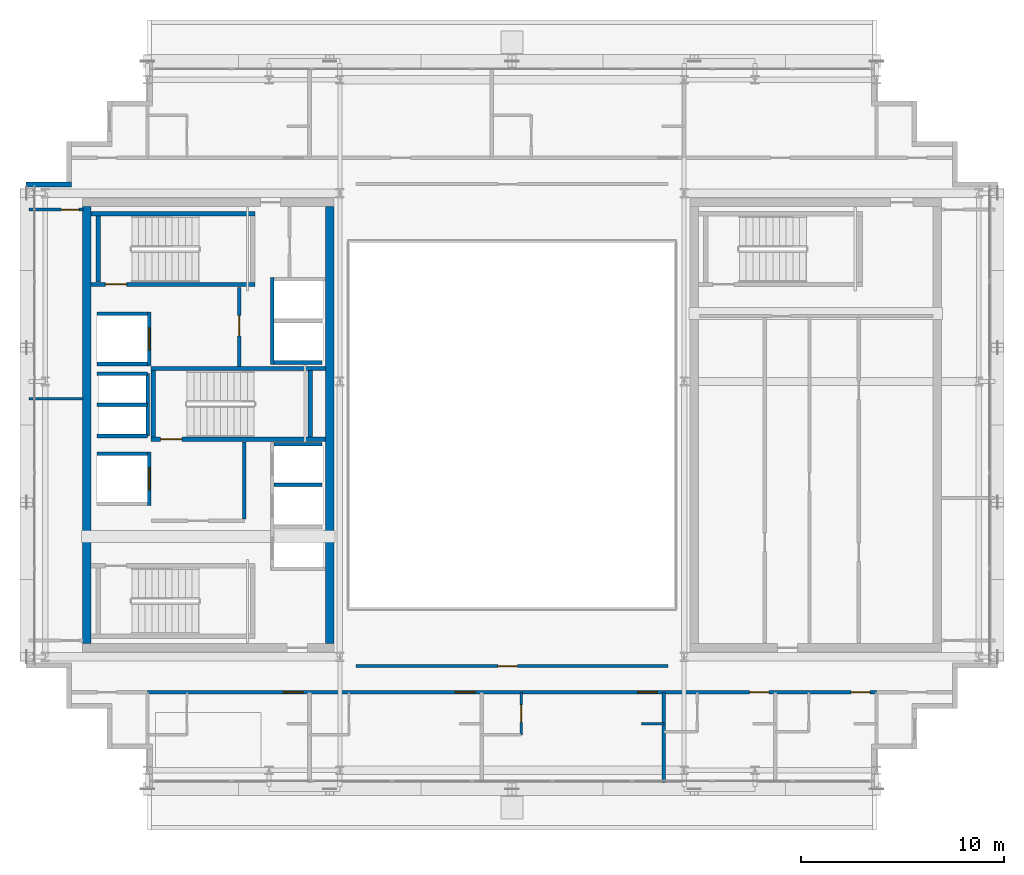
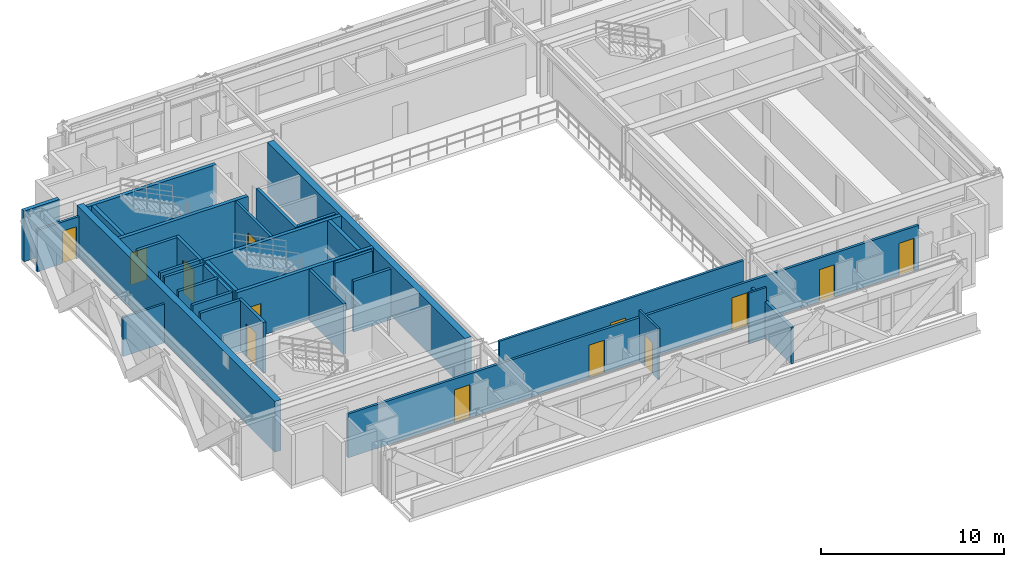
# One storey, part 20 of 27: 32 walls, 13 doors, 13 openings.
"""IFC4 building model written with IfcOpenShell, lengths in metres."""

from ifc_helpers import new_model, si_unit, direction, frame, frame_2d, origin, place, context, subcontext, project, spatial, rectangle, extrude, source, transform, mapped, material, layer, layer_set, type_object, element, fill, save


model = new_model("IFC4")

# Units and contexts
model_context = context("Model", 3, precision=1e-05, world=origin(), true_north=direction((0.0, 1.0)))
body_context = subcontext(model_context, "Body", "Model", "MODEL_VIEW")
ifc_project = project(units=[si_unit("LENGTHUNIT", "METRE"), si_unit("AREAUNIT", "SQUARE_METRE"), si_unit("VOLUMEUNIT", "CUBIC_METRE"), si_unit("PLANEANGLEUNIT", "RADIAN"), si_unit("MASSUNIT", "GRAM", prefix="KILO")], contexts=[model_context])

# Site, building, storey
site_placement = place(None, origin())
site = spatial("IfcSite", under=ifc_project, at=site_placement, CompositionType="ELEMENT")
building_placement = place(site_placement, origin())
building = spatial("IfcBuilding", under=site, at=building_placement, Name="Ocotamira Hotel", CompositionType="ELEMENT")
storey_placement = place(building_placement, frame((0.0, 0.0, 232.800048828125)))
storey = spatial("IfcBuildingStorey", under=building, at=storey_placement, Name="L58", CompositionType="ELEMENT", Elevation=232.800048828125)

# Walls
ifc_material_1 = material(Name="Concrete C50/60", Category="concrete")
ifc_layer_1 = layer(ifc_material_1, 0.39990234375)
ifc_layer_set_1 = layer_set([ifc_layer_1], Name="Concrete C50/60")
wall_type_1 = type_object("IfcWallType", Name="WL-CORE-400", PredefinedType="SHEAR", material=ifc_layer_set_1)
for number, where, z_axis, x_axis, name in (
    (1, (11.0, 15.199951171875, 0.0), (0.0, 0.0, 1.0), (0.0, 1.0, 0.0), "L58 Shear Core Wall WCORE-W"),
    (2, (23.0, 15.199951171875, 0.0), (0.0, 0.0, 1.0), (0.0, 1.0, 0.0), "L58 Shear Core Wall WCORE-E"),
):
    element("IfcWall", number, at=place(storey_placement, frame(where, z_axis=z_axis, x_axis=x_axis)), inside=storey, type_object=wall_type_1, Name=name, PredefinedType="SHEAR", context=body_context, shape_type="SweptSolid", body=[
        extrude(rectangle(XDim=21.60009765625, YDim=0.39990234375, at=frame_2d((10.800048828125, 0.0))), origin(), (0.0, 0.0, 1.0), 3.3798828125),
    ])
ifc_material_2 = material(Name="Precast concrete C45/55", Category="concrete")
ifc_layer_2 = layer(ifc_material_2, 0.25)
ifc_layer_set_2 = layer_set([ifc_layer_2], Name="Precast concrete C45/55")
wall_type_2 = type_object("IfcWallType", Name="WL-EXT-SER-250", PredefinedType="SOLIDWALL", material=ifc_layer_set_2)
wall_1_placement = place(storey_placement, frame((10.25, 37.875, 0.0), z_axis=(0.0, 0.0, 1.0), x_axis=(-1.0, 0.0, 0.0)))
element("IfcWall", 3, at=wall_1_placement, inside=storey, type_object=wall_type_2, Name="L58 Serrated Corner Wall 18", PredefinedType="SOLIDWALL", context=body_context, shape_type="SweptSolid", body=[
    extrude(rectangle(XDim=2.25, YDim=0.25, at=frame_2d((1.125, 0.0))), origin(), (0.0, 0.0, 1.0), 3.3798828125),
])
ifc_material_3 = material(Name="Acoustic double-layer fire gypsum board partition", Category="gypsum")
ifc_layer_3 = layer(ifc_material_3, 0.159912109375)
ifc_layer_set_3 = layer_set([ifc_layer_3], Name="Acoustic double-layer fire gypsum board partition")
wall_type_3 = type_object("IfcWallType", Name="WL-FIRE-160", PredefinedType="PARTITIONING", material=ifc_layer_set_3)
wall_2_placement = place(storey_placement, frame((18.780029296875, 21.35009765625, 0.0), z_axis=(0.0, 0.0, 1.0), x_axis=(0.0, 1.0, 0.0)))
element("IfcWall", 4, at=wall_2_placement, inside=storey, type_object=wall_type_3, Name="L58 Interior Wall PW-L58-FSAE1-E", PredefinedType="PARTITIONING", context=body_context, shape_type="SweptSolid", body=[
    extrude(rectangle(XDim=3.809814453125, YDim=0.159912109375, at=frame_2d((1.90478515625, 0.0))), origin(), (0.0, 0.0, 1.0), 3.3798828125),
])

# Wall, opening, door
wall_3_placement = place(storey_placement, frame((18.530029296875, 28.89990234375, 0.0), z_axis=(0.0, 0.0, 1.0), x_axis=(0.0, 1.0, 0.0)))
wall_3 = element("IfcWall", 5, at=wall_3_placement, inside=storey, type_object=wall_type_3, Name="L58 Interior Wall PW-L58-FSAE2-E", PredefinedType="PARTITIONING", context=body_context, shape_type="SweptSolid", body=[
    extrude(rectangle(XDim=3.900146484375, YDim=0.159912109375, at=frame_2d((1.9501953125, 0.0))), origin(), (0.0, 0.0, 1.0), 3.3798828125),
])
opening_1_placement = place(wall_3_placement, frame((1.5, 0.0, 0.0)))
opening_1 = element("IfcOpeningElement", 6, at=opening_1_placement, cuts=wall_3, Name="Opening D-FR2", PredefinedType="OPENING", context=body_context, shape_type="SweptSolid", body=[
    extrude(rectangle(XDim=1.0, YDim=2.14990234375, at=frame_2d((0.5, 1.074951171875))), frame((0.0, 0.08984375, 0.0), z_axis=(0.0, -1.0, 0.0), x_axis=(1.0, 0.0, 0.0)), (0.0, 0.0, 1.0), 0.179931640625),
])
ifc_material_4 = material(Name="Fire-rated acoustic timber-veneer door", Category="wood")
door_type_1 = type_object("IfcDoorType", Name="DR-FIRE-1000", OperationType="NOTDEFINED", PredefinedType="DOOR", material=ifc_material_4)
shared_shape_1 = source(origin(), body_context, "Body", "SweptSolid", [
    extrude(rectangle(XDim=1.0, YDim=2.14990234375, at=frame_2d((0.5, 1.074951171875))), frame((0.0, 0.02490234375, 0.0), z_axis=(0.0, -1.0, 0.0), x_axis=(1.0, 0.0, 0.0)), (0.0, 0.0, 1.0), 0.050048828125),
])
door_1_placement = place(opening_1_placement, origin())
door_1 = element("IfcDoor", 7, at=door_1_placement, inside=storey, type_object=door_type_1, Name="L58 Door ID-L58-FSAE2-D [ID-L58-FSAE2-D]", OperationType="SINGLE_SWING_RIGHT", OverallHeight=2.14990234375, OverallWidth=1.0, PredefinedType="DOOR", context=body_context, shape_type="MappedRepresentation", body=[
    mapped(shared_shape_1, transform((0.0, 0.0, 0.0), scale=1.0)),
])
fill(opening_1, door_1)

# Wall, openings, doors
wall_4_placement = place(storey_placement, frame((14.0, 12.800048828125, 0.0), z_axis=(0.0, 0.0, 1.0), x_axis=(1.0, 0.0, 0.0)))
wall_4 = element("IfcWall", 8, at=wall_4_placement, inside=storey, type_object=wall_type_3, Name="L58 Interior Wall PW-L58-Z4AS-CORRW", PredefinedType="PARTITIONING", context=body_context, shape_type="SweptSolid", body=[
    extrude(rectangle(XDim=36.0, YDim=0.159912109375, at=frame_2d((18.0, 0.0))), origin(), (0.0, 0.0, 1.0), 2.9228515625),
])
opening_2_placement = place(wall_4_placement, frame((6.699951171875, 0.0, 0.0)))
opening_2 = element("IfcOpeningElement", 9, at=opening_2_placement, cuts=wall_4, Name="Opening D-GR2", PredefinedType="OPENING", context=body_context, shape_type="SweptSolid", body=[
    extrude(rectangle(XDim=0.97998046875, YDim=2.199951171875, at=frame_2d((0.489990234375, 1.10009765625))), frame((0.0, 0.08984375, 0.0), z_axis=(0.0, -1.0, 0.0), x_axis=(1.0, 0.0, 0.0)), (0.0, 0.0, 1.0), 0.179931640625),
])
opening_3_placement = place(wall_4_placement, frame((15.199951171875, 0.0, 0.0)))
opening_3 = element("IfcOpeningElement", 10, at=opening_3_placement, cuts=wall_4, Name="Opening D-GR2", PredefinedType="OPENING", context=body_context, shape_type="SweptSolid", body=[
    extrude(rectangle(XDim=0.97998046875, YDim=2.199951171875, at=frame_2d((0.489990234375, 1.10009765625))), frame((0.0, 0.08984375, 0.0), z_axis=(0.0, -1.0, 0.0), x_axis=(1.0, 0.0, 0.0)), (0.0, 0.0, 1.0), 0.179931640625),
])
opening_4_placement = place(wall_4_placement, frame((24.199951171875, 0.0, 0.0)))
opening_4 = element("IfcOpeningElement", 11, at=opening_4_placement, cuts=wall_4, Name="Opening D-GR2", PredefinedType="OPENING", context=body_context, shape_type="SweptSolid", body=[
    extrude(rectangle(XDim=0.97998046875, YDim=2.199951171875, at=frame_2d((0.489990234375, 1.10009765625))), frame((0.0, 0.08984375, 0.0), z_axis=(0.0, -1.0, 0.0), x_axis=(1.0, 0.0, 0.0)), (0.0, 0.0, 1.0), 0.179931640625),
])
opening_5_placement = place(wall_4_placement, frame((29.739990234375, 0.0, 0.0)))
opening_5 = element("IfcOpeningElement", 12, at=opening_5_placement, cuts=wall_4, Name="Opening D-GR1", PredefinedType="OPENING", context=body_context, shape_type="SweptSolid", body=[
    extrude(rectangle(XDim=0.93994140625, YDim=2.14990234375, at=frame_2d((0.469970703125, 1.074951171875))), frame((0.0, 0.08984375, 0.0), z_axis=(0.0, -1.0, 0.0), x_axis=(1.0, 0.0, 0.0)), (0.0, 0.0, 1.0), 0.179931640625),
])
opening_6_placement = place(wall_4_placement, frame((34.739990234375, 0.0, 0.0)))
opening_6 = element("IfcOpeningElement", 13, at=opening_6_placement, cuts=wall_4, Name="Opening D-GR1", PredefinedType="OPENING", context=body_context, shape_type="SweptSolid", body=[
    extrude(rectangle(XDim=0.93994140625, YDim=2.14990234375, at=frame_2d((0.469970703125, 1.074951171875))), frame((0.0, 0.08984375, 0.0), z_axis=(0.0, -1.0, 0.0), x_axis=(1.0, 0.0, 0.0)), (0.0, 0.0, 1.0), 0.179931640625),
])
ifc_material_5 = material(Name="Solid-core walnut suite entrance fire door", Category="wood")
door_type_2 = type_object("IfcDoorType", Name="DR-GUEST-940", OperationType="NOTDEFINED", PredefinedType="DOOR", material=ifc_material_5)
shared_shape_2 = source(origin(), body_context, "Body", "SweptSolid", [
    extrude(rectangle(XDim=0.93994140625, YDim=2.14990234375, at=frame_2d((0.469970703125, 1.074951171875))), frame((0.0, 0.02490234375, 0.0), z_axis=(0.0, -1.0, 0.0), x_axis=(1.0, 0.0, 0.0)), (0.0, 0.0, 1.0), 0.050048828125),
])
door_2_placement = place(opening_5_placement, origin())
door_2 = element("IfcDoor", 14, at=door_2_placement, inside=storey, type_object=door_type_2, Name="L58 Door ID-L58-Z4AS-RMD4 [ID-L58-Z4AS-RMD4]", OperationType="SINGLE_SWING_RIGHT", OverallHeight=2.14990234375, OverallWidth=0.93994140625, PredefinedType="DOOR", context=body_context, shape_type="MappedRepresentation", body=[
    mapped(shared_shape_2, transform((0.0, 0.0, 0.0), scale=1.0)),
])
fill(opening_5, door_2)
door_3_placement = place(opening_6_placement, origin())
door_3 = element("IfcDoor", 15, at=door_3_placement, inside=storey, type_object=door_type_2, Name="L58 Door ID-L58-Z4AS-RMD5 [ID-L58-Z4AS-RMD5]", OperationType="SINGLE_SWING_LEFT", OverallHeight=2.14990234375, OverallWidth=0.93994140625, PredefinedType="DOOR", context=body_context, shape_type="MappedRepresentation", body=[
    mapped(shared_shape_2, transform((0.0, 0.0, 0.0), scale=1.0)),
])
fill(opening_6, door_3)
ifc_material_6 = material(Name="Solid-core walnut grand-suite entrance fire door", Category="wood")
door_type_3 = type_object("IfcDoorType", Name="DR-GUEST-980", OperationType="NOTDEFINED", PredefinedType="DOOR", material=ifc_material_6)
shared_shape_3 = source(origin(), body_context, "Body", "SweptSolid", [
    extrude(rectangle(XDim=0.97998046875, YDim=2.199951171875, at=frame_2d((0.489990234375, 1.10009765625))), frame((0.0, 0.02490234375, 0.0), z_axis=(0.0, -1.0, 0.0), x_axis=(1.0, 0.0, 0.0)), (0.0, 0.0, 1.0), 0.050048828125),
])
door_4_placement = place(opening_2_placement, origin())
door_4 = element("IfcDoor", 16, at=door_4_placement, inside=storey, type_object=door_type_3, Name="L58 Door ID-L58-Z4AS-RMD1 [ID-L58-Z4AS-RMD1]", OperationType="SINGLE_SWING_LEFT", OverallHeight=2.199951171875, OverallWidth=0.97998046875, PredefinedType="DOOR", context=body_context, shape_type="MappedRepresentation", body=[
    mapped(shared_shape_3, transform((0.0, 0.0, 0.0), scale=1.0)),
])
fill(opening_2, door_4)
door_5_placement = place(opening_3_placement, origin())
door_5 = element("IfcDoor", 17, at=door_5_placement, inside=storey, type_object=door_type_3, Name="L58 Door ID-L58-Z4AS-RMD2 [ID-L58-Z4AS-RMD2]", OperationType="SINGLE_SWING_RIGHT", OverallHeight=2.199951171875, OverallWidth=0.97998046875, PredefinedType="DOOR", context=body_context, shape_type="MappedRepresentation", body=[
    mapped(shared_shape_3, transform((0.0, 0.0, 0.0), scale=1.0)),
])
fill(opening_3, door_5)
door_6_placement = place(opening_4_placement, origin())
door_6 = element("IfcDoor", 18, at=door_6_placement, inside=storey, type_object=door_type_3, Name="L58 Door ID-L58-Z4AS-RMD3 [ID-L58-Z4AS-RMD3]", OperationType="SINGLE_SWING_LEFT", OverallHeight=2.199951171875, OverallWidth=0.97998046875, PredefinedType="DOOR", context=body_context, shape_type="MappedRepresentation", body=[
    mapped(shared_shape_3, transform((0.0, 0.0, 0.0), scale=1.0)),
])
fill(opening_4, door_6)

# Wall, opening, door
ifc_material_7 = material(Name="Moisture-resistant en-suite tile and gypsum partition", Category="gypsum")
ifc_layer_4 = layer(ifc_material_7, 0.1201171875)
ifc_layer_set_4 = layer_set([ifc_layer_4], Name="Moisture-resistant en-suite tile and gypsum partition")
wall_type_4 = type_object("IfcWallType", Name="WL-PART-120", PredefinedType="PARTITIONING", material=ifc_layer_set_4)
wall_5_placement = place(storey_placement, frame((32.449951171875, 10.699951171875, 0.0), z_axis=(0.0, 0.0, 1.0), x_axis=(0.0, 1.0, 0.0)))
wall_5 = element("IfcWall", 19, at=wall_5_placement, inside=storey, type_object=wall_type_4, Name="L58 Interior Wall PW-L58-Z4AS-BAE3", PredefinedType="PARTITIONING", context=body_context, shape_type="SweptSolid", body=[
    extrude(rectangle(XDim=2.10009765625, YDim=0.1201171875, at=frame_2d((1.050048828125, 0.0))), origin(), (0.0, 0.0, 1.0), 3.3798828125),
])
opening_7_placement = place(wall_5_placement, frame((0.6201171875, 0.0, 0.0)))
opening_7 = element("IfcOpeningElement", 20, at=opening_7_placement, cuts=wall_5, Name="Opening D-BA1", PredefinedType="OPENING", context=body_context, shape_type="SweptSolid", body=[
    extrude(rectangle(XDim=0.860107421875, YDim=2.10009765625, at=frame_2d((0.43017578125, 1.050048828125))), frame((0.0, 0.070068359375, 0.0), z_axis=(0.0, -1.0, 0.0), x_axis=(1.0, 0.0, 0.0)), (0.0, 0.0, 1.0), 0.14013671875),
])
ifc_material_8 = material(Name="Moisture-sealed en-suite timber door", Category="wood")
door_type_4 = type_object("IfcDoorType", Name="DR-BATH-860", OperationType="NOTDEFINED", PredefinedType="DOOR", material=ifc_material_8)
shared_shape_4 = source(origin(), body_context, "Body", "SweptSolid", [
    extrude(rectangle(XDim=0.860107421875, YDim=2.10009765625, at=frame_2d((0.43017578125, 1.050048828125))), frame((0.0, 0.02490234375, 0.0), z_axis=(0.0, -1.0, 0.0), x_axis=(1.0, 0.0, 0.0)), (0.0, 0.0, 1.0), 0.050048828125),
])
door_7_placement = place(opening_7_placement, origin())
door_7 = element("IfcDoor", 21, at=door_7_placement, inside=storey, type_object=door_type_4, Name="L58 Door ID-L58-Z4AS-BAD3 [ID-L58-Z4AS-BAD3]", OperationType="SINGLE_SWING_RIGHT", OverallHeight=2.10009765625, OverallWidth=0.860107421875, PredefinedType="DOOR", context=body_context, shape_type="MappedRepresentation", body=[
    mapped(shared_shape_4, transform((0.0, 0.0, 0.0), scale=1.0)),
])
fill(opening_7, door_7)

# Walls
wall_6_placement = place(storey_placement, frame((38.39990234375, 11.25, 0.0), z_axis=(0.0, 0.0, 1.0), x_axis=(1.0, 0.0, 0.0)))
element("IfcWall", 22, at=wall_6_placement, inside=storey, type_object=wall_type_4, Name="L58 Interior Wall PW-L58-Z4AS-DRN3", PredefinedType="PARTITIONING", context=body_context, shape_type="SweptSolid", body=[
    extrude(rectangle(XDim=1.10009765625, YDim=0.1201171875, at=frame_2d((0.550048828125, 0.0))), origin(), (0.0, 0.0, 1.0), 3.3798828125),
])
ifc_material_9 = material(Name="Acoustic hospitality gypsum board partition", Category="gypsum")
ifc_layer_5 = layer(ifc_material_9, 0.14208984375)
ifc_layer_set_5 = layer_set([ifc_layer_5], Name="Acoustic hospitality gypsum board partition")
wall_type_5 = type_object("IfcWallType", Name="WL-PART-142", PredefinedType="PARTITIONING", material=ifc_layer_set_5)
wall_7_placement = place(storey_placement, frame((8.159912109375, 27.300048828125, 0.0), z_axis=(0.0, 0.0, 1.0), x_axis=(1.0, 0.0, 0.0)))
element("IfcWall", 23, at=wall_7_placement, inside=storey, type_object=wall_type_5, Name="L58 Interior Wall PW-L58-Z4AW-DV1", PredefinedType="PARTITIONING", context=body_context, shape_type="SweptSolid", body=[
    extrude(rectangle(XDim=2.66015625, YDim=0.14208984375, at=frame_2d((1.330078125, 0.0))), origin(), (0.0, 0.0, 1.0), 2.600830078125),
])

# Wall, opening, door
ifc_layer_6 = layer(ifc_material_9, 0.14990234375)
ifc_layer_set_6 = layer_set([ifc_layer_6], Name="Acoustic hospitality gypsum board partition")
wall_type_6 = type_object("IfcWallType", Name="WL-PART-150", PredefinedType="PARTITIONING", material=ifc_layer_set_6)
wall_8_placement = place(storey_placement, frame((24.300048828125, 14.10009765625, 0.0), z_axis=(0.0, 0.0, 1.0), x_axis=(1.0, 0.0, 0.0)))
wall_8 = element("IfcWall", 24, at=wall_8_placement, inside=storey, type_object=wall_type_6, Name="L58 Interior Wall PW-L58-Z4A-ATRSN", PredefinedType="PARTITIONING", context=body_context, shape_type="SweptSolid", body=[
    extrude(rectangle(XDim=15.39990234375, YDim=0.14990234375, at=frame_2d((7.699951171875, 0.0))), origin(), (0.0, 0.0, 1.0), 3.3798828125),
])
opening_8_placement = place(wall_8_placement, frame((7.0, 0.0, 0.0)))
opening_8 = element("IfcOpeningElement", 25, at=opening_8_placement, cuts=wall_8, Name="Opening D-SV4", PredefinedType="OPENING", context=body_context, shape_type="SweptSolid", body=[
    extrude(rectangle(XDim=0.9599609375, YDim=2.14990234375, at=frame_2d((0.47998046875, 1.074951171875))), frame((0.0, 0.0849609375, 0.0), z_axis=(0.0, -1.0, 0.0), x_axis=(1.0, 0.0, 0.0)), (0.0, 0.0, 1.0), 0.169921875),
])
ifc_material_10 = material(Name="Fire-rated accessible walnut salon door", Category="wood")
door_type_5 = type_object("IfcDoorType", Name="DR-SERV-960", OperationType="NOTDEFINED", PredefinedType="DOOR", material=ifc_material_10)
shared_shape_5 = source(origin(), body_context, "Body", "SweptSolid", [
    extrude(rectangle(XDim=0.9599609375, YDim=2.14990234375, at=frame_2d((0.47998046875, 1.074951171875))), frame((0.0, 0.02490234375, 0.0), z_axis=(0.0, -1.0, 0.0), x_axis=(1.0, 0.0, 0.0)), (0.0, 0.0, 1.0), 0.050048828125),
])
door_8_placement = place(opening_8_placement, origin())
door_8 = element("IfcDoor", 26, at=door_8_placement, inside=storey, type_object=door_type_5, Name="L58 Door ID-L58-Z4A-ATRSD [ID-L58-Z4A-ATRSD]", OperationType="SINGLE_SWING_LEFT", OverallHeight=2.14990234375, OverallWidth=0.9599609375, PredefinedType="DOOR", context=body_context, shape_type="MappedRepresentation", body=[
    mapped(shared_shape_5, transform((0.0, 0.0, 0.0), scale=1.0)),
])
fill(opening_8, door_8)

wall_9_placement = place(storey_placement, frame((8.159912109375, 36.639892578125, 0.0), z_axis=(0.0, 0.0, 1.0), x_axis=(1.0, 0.0, 0.0)))
wall_9 = element("IfcWall", 27, at=wall_9_placement, inside=storey, type_object=wall_type_6, Name="L58 Interior Wall PW-L58-Z4AW-WN", PredefinedType="PARTITIONING", context=body_context, shape_type="SweptSolid", body=[
    extrude(rectangle(XDim=2.66015625, YDim=0.14990234375, at=frame_2d((1.330078125, 0.0))), origin(), (0.0, 0.0, 1.0), 2.762939453125),
])
opening_9_placement = place(wall_9_placement, frame((1.580078125, 0.0, 0.0)))
opening_9 = element("IfcOpeningElement", 28, at=opening_9_placement, cuts=wall_9, Name="Opening D-SV2", PredefinedType="OPENING", context=body_context, shape_type="SweptSolid", body=[
    extrude(rectangle(XDim=0.8798828125, YDim=2.14990234375, at=frame_2d((0.43994140625, 1.074951171875))), frame((0.0, 0.0849609375, 0.0), z_axis=(0.0, -1.0, 0.0), x_axis=(1.0, 0.0, 0.0)), (0.0, 0.0, 1.0), 0.169921875),
])
ifc_material_11 = material(Name="Fire-rated painted steel service door", Category="steel")
door_type_6 = type_object("IfcDoorType", Name="DR-SERV-880", OperationType="NOTDEFINED", PredefinedType="DOOR", material=ifc_material_11)
shared_shape_6 = source(origin(), body_context, "Body", "SweptSolid", [
    extrude(rectangle(XDim=0.8798828125, YDim=2.14990234375, at=frame_2d((0.43994140625, 1.074951171875))), frame((0.0, 0.02490234375, 0.0), z_axis=(0.0, -1.0, 0.0), x_axis=(1.0, 0.0, 0.0)), (0.0, 0.0, 1.0), 0.050048828125),
])
door_9_placement = place(opening_9_placement, origin())
door_9 = element("IfcDoor", 29, at=door_9_placement, inside=storey, type_object=door_type_6, Name="L58 Door ID-L58-Z4AW-DN [ID-L58-Z4AW-DN]", OperationType="SINGLE_SWING_RIGHT", OverallHeight=2.14990234375, OverallWidth=0.8798828125, PredefinedType="DOOR", context=body_context, shape_type="MappedRepresentation", body=[
    mapped(shared_shape_6, transform((0.0, 0.0, 0.0), scale=1.0)),
])
fill(opening_9, door_9)

# Walls
ifc_material_12 = material(Name="Double-stud suite party gypsum partition", Category="gypsum")
ifc_layer_7 = layer(ifc_material_12, 0.175048828125)
ifc_layer_set_7 = layer_set([ifc_layer_7], Name="Double-stud suite party gypsum partition")
wall_type_7 = type_object("IfcWallType", Name="WL-PART-175", PredefinedType="PARTITIONING", material=ifc_layer_set_7)
wall_10_placement = place(storey_placement, frame((39.5, 8.360107421875, 0.0), z_axis=(0.0, 0.0, 1.0), x_axis=(0.0, 1.0, 0.0)))
element("IfcWall", 30, at=wall_10_placement, inside=storey, type_object=wall_type_7, Name="L58 Interior Wall PW-L58-Z4AS-PW3", PredefinedType="PARTITIONING", context=body_context, shape_type="SweptSolid", body=[
    extrude(rectangle(XDim=4.43994140625, YDim=0.175048828125, at=frame_2d((2.219970703125, 0.0))), origin(), (0.0, 0.0, 1.0), 2.452880859375),
])
ifc_material_13 = material(Name="Fire-rated gypsum shaftliner board assembly", Category="gypsum")
ifc_layer_8 = layer(ifc_material_13, 0.179931640625)
ifc_layer_set_8 = layer_set([ifc_layer_8], Name="Fire-rated gypsum shaftliner board assembly")
wall_type_8 = type_object("IfcWallType", Name="WL-SHAFT-180", PredefinedType="SOLIDWALL", material=ifc_layer_set_8)
for number, where, z_axis, x_axis, name in (
    (31, (20.25, 25.050048828125, 0.0), (0.0, 0.0, 1.0), (1.0, 0.0, 0.0), "L58 Interior Wall PW-L58-LFW-BANK-high-N"),
    (32, (20.25, 23.044921875, 0.0), (0.0, 0.0, 1.0), (1.0, 0.0, 0.0), "L58 Interior Wall PW-L58-LFW-DIV-LF-P8"),
):
    element("IfcWall", number, at=place(storey_placement, frame(where, z_axis=z_axis, x_axis=x_axis)), inside=storey, type_object=wall_type_8, Name=name, PredefinedType="SOLIDWALL", context=body_context, shape_type="SweptSolid", body=[
        extrude(rectangle(XDim=2.360107421875, YDim=0.179931640625, at=frame_2d((1.18017578125, 0.0))), origin(), (0.0, 0.0, 1.0), 3.3798828125),
    ])
wall_11_placement = place(storey_placement, frame((20.159912109375, 29.0, 0.0), z_axis=(0.0, 0.0, 1.0), x_axis=(0.0, 1.0, 0.0)))
element("IfcWall", 33, at=wall_11_placement, inside=storey, type_object=wall_type_8, Name="L58 Interior Wall PW-L58-LFW-BANK-obs-F", PredefinedType="SOLIDWALL", context=body_context, shape_type="SweptSolid", body=[
    extrude(rectangle(XDim=4.2900390625, YDim=0.179931640625, at=frame_2d((2.14501953125, 0.0))), origin(), (0.0, 0.0, 1.0), 3.3798828125),
])
wall_12_placement = place(storey_placement, frame((20.25, 29.090087890625, 0.0), z_axis=(0.0, 0.0, 1.0), x_axis=(1.0, 0.0, 0.0)))
element("IfcWall", 34, at=wall_12_placement, inside=storey, type_object=wall_type_8, Name="L58 Interior Wall PW-L58-LFW-BANK-obs-S", PredefinedType="SOLIDWALL", context=body_context, shape_type="SweptSolid", body=[
    extrude(rectangle(XDim=2.360107421875, YDim=0.179931640625, at=frame_2d((1.18017578125, 0.0))), origin(), (0.0, 0.0, 1.0), 3.3798828125),
])
wall_13_placement = place(storey_placement, frame((11.5, 24.590087890625, 0.0), z_axis=(0.0, 0.0, 1.0), x_axis=(1.0, 0.0, 0.0)))
element("IfcWall", 35, at=wall_13_placement, inside=storey, type_object=wall_type_8, Name="L58 Interior Wall PW-L58-LFW-LF-FSAE1-N", PredefinedType="SOLIDWALL", context=body_context, shape_type="SweptSolid", body=[
    extrude(rectangle(XDim=2.5, YDim=0.179931640625, at=frame_2d((1.25, 0.0))), origin(), (0.0, 0.0, 1.0), 3.3798828125),
])

# Wall, opening, door
wall_14_placement = place(storey_placement, frame((14.090087890625, 22.02001953125, 0.0), z_axis=(0.0, 0.0, 1.0), x_axis=(0.0, 1.0, 0.0)))
wall_14 = element("IfcWall", 36, at=wall_14_placement, inside=storey, type_object=wall_type_8, Name="L58 Interior Wall PW-L58-LFW-LF-FSAE1-E", PredefinedType="SOLIDWALL", context=body_context, shape_type="SweptSolid", body=[
    extrude(rectangle(XDim=2.659912109375, YDim=0.179931640625, at=frame_2d((1.330078125, 0.0))), origin(), (0.0, 0.0, 1.0), 3.3798828125),
])
opening_10_placement = place(wall_14_placement, frame((0.780029296875, 0.0, 0.0)))
opening_10 = element("IfcOpeningElement", 37, at=opening_10_placement, cuts=wall_14, Name="Opening LD-LF-FSAE1", PredefinedType="OPENING", context=body_context, shape_type="SweptSolid", body=[
    extrude(rectangle(XDim=1.10009765625, YDim=2.199951171875, at=frame_2d((0.550048828125, 1.10009765625))), frame((0.0, 0.10009765625, 0.0), z_axis=(0.0, -1.0, 0.0), x_axis=(1.0, 0.0, 0.0)), (0.0, 0.0, 1.0), 0.199951171875),
])
ifc_material_14 = material(Name="Brushed pale-metal stainless elevator landing door", Category="steel")
door_type_7 = type_object("IfcDoorType", Name="DR-LIFT-1100", OperationType="NOTDEFINED", PredefinedType="DOOR", material=ifc_material_14)
shared_shape_7 = source(origin(), body_context, "Body", "SweptSolid", [
    extrude(rectangle(XDim=1.10009765625, YDim=2.199951171875, at=frame_2d((0.550048828125, 1.10009765625))), frame((0.0, 0.02490234375, 0.0), z_axis=(0.0, -1.0, 0.0), x_axis=(1.0, 0.0, 0.0)), (0.0, 0.0, 1.0), 0.050048828125),
])
door_10_placement = place(opening_10_placement, origin())
door_10 = element("IfcDoor", 38, at=door_10_placement, inside=storey, type_object=door_type_7, Name="L58 Landing Door LD-LF-FSAE1 [ID-L58-LD-LF-FSAE1]", OperationType="DOUBLE_DOOR_SLIDING", OverallHeight=2.199951171875, OverallWidth=1.10009765625, PredefinedType="DOOR", context=body_context, shape_type="MappedRepresentation", body=[
    mapped(shared_shape_7, transform((0.0, 0.0, 0.0), scale=1.0)),
])
fill(opening_10, door_10)

# Walls
for number, where, z_axis, x_axis, name in (
    (39, (11.5, 29.010009765625, 0.0), (0.0, 0.0, 1.0), (1.0, 0.0, 0.0), "L58 Interior Wall PW-L58-LFW-LF-FSAE2-S"),
    (40, (11.5, 31.489990234375, 0.0), (0.0, 0.0, 1.0), (1.0, 0.0, 0.0), "L58 Interior Wall PW-L58-LFW-LF-FSAE2-N"),
):
    element("IfcWall", number, at=place(storey_placement, frame(where, z_axis=z_axis, x_axis=x_axis)), inside=storey, type_object=wall_type_8, Name=name, PredefinedType="SOLIDWALL", context=body_context, shape_type="SweptSolid", body=[
        extrude(rectangle(XDim=2.5, YDim=0.179931640625, at=frame_2d((1.25, 0.0))), origin(), (0.0, 0.0, 1.0), 3.3798828125),
    ])

# Wall, opening, door
wall_15_placement = place(storey_placement, frame((14.090087890625, 28.919921875, 0.0), z_axis=(0.0, 0.0, 1.0), x_axis=(0.0, 1.0, 0.0)))
wall_15 = element("IfcWall", 41, at=wall_15_placement, inside=storey, type_object=wall_type_8, Name="L58 Interior Wall PW-L58-LFW-LF-FSAE2-E", PredefinedType="SOLIDWALL", context=body_context, shape_type="SweptSolid", body=[
    extrude(rectangle(XDim=2.66015625, YDim=0.179931640625, at=frame_2d((1.330078125, 0.0))), origin(), (0.0, 0.0, 1.0), 3.3798828125),
])
opening_11_placement = place(wall_15_placement, frame((0.780029296875, 0.0, 0.0)))
opening_11 = element("IfcOpeningElement", 42, at=opening_11_placement, cuts=wall_15, Name="Opening LD-LF-FSAE2", PredefinedType="OPENING", context=body_context, shape_type="SweptSolid", body=[
    extrude(rectangle(XDim=1.10009765625, YDim=2.199951171875, at=frame_2d((0.550048828125, 1.10009765625))), frame((0.0, 0.10009765625, 0.0), z_axis=(0.0, -1.0, 0.0), x_axis=(1.0, 0.0, 0.0)), (0.0, 0.0, 1.0), 0.199951171875),
])
door_11_placement = place(opening_11_placement, origin())
door_11 = element("IfcDoor", 43, at=door_11_placement, inside=storey, type_object=door_type_7, Name="L58 Landing Door LD-LF-FSAE2 [ID-L58-LD-LF-FSAE2]", OperationType="DOUBLE_DOOR_SLIDING", OverallHeight=2.199951171875, OverallWidth=1.10009765625, PredefinedType="DOOR", context=body_context, shape_type="MappedRepresentation", body=[
    mapped(shared_shape_7, transform((0.0, 0.0, 0.0), scale=1.0)),
])
fill(opening_11, door_11)

# Walls
for number, where, z_axis, x_axis, name in (
    (44, (11.5, 25.4599609375, 0.0), (0.0, 0.0, 1.0), (1.0, 0.0, 0.0), "L58 Interior Wall PW-L58-RSW-S"),
    (45, (11.5, 27.0, 0.0), (0.0, 0.0, 1.0), (1.0, 0.0, 0.0), "L58 Interior Wall PW-L58-RSW-MID"),
    (46, (11.5, 28.5400390625, 0.0), (0.0, 0.0, 1.0), (1.0, 0.0, 0.0), "L58 Interior Wall PW-L58-RSW-N"),
):
    element("IfcWall", number, at=place(storey_placement, frame(where, z_axis=z_axis, x_axis=x_axis)), inside=storey, type_object=wall_type_8, Name=name, PredefinedType="SOLIDWALL", context=body_context, shape_type="SweptSolid", body=[
        extrude(rectangle(XDim=2.510009765625, YDim=0.179931640625, at=frame_2d((1.2548828125, 0.0))), origin(), (0.0, 0.0, 1.0), 3.3798828125),
    ])
wall_16_placement = place(storey_placement, frame((14.010009765625, 25.4599609375, 0.0), z_axis=(0.0, 0.0, 1.0), x_axis=(0.0, 1.0, 0.0)))
element("IfcWall", 47, at=wall_16_placement, inside=storey, type_object=wall_type_8, Name="L58 Interior Wall PW-L58-RSW-E", PredefinedType="SOLIDWALL", context=body_context, shape_type="SweptSolid", body=[
    extrude(rectangle(XDim=3.080078125, YDim=0.179931640625, at=frame_2d((1.5400390625, 0.0))), origin(), (0.0, 0.0, 1.0), 3.3798828125),
])

# Wall, opening, door
ifc_layer_9 = layer(ifc_material_1, 0.219970703125)
ifc_layer_set_9 = layer_set([ifc_layer_9], Name="Concrete C50/60")
wall_type_9 = type_object("IfcWallType", Name="WL-STAIR-220", PredefinedType="SHEAR", material=ifc_layer_set_9)
wall_17_placement = place(storey_placement, frame((11.199951171875, 32.93994140625, 0.0), z_axis=(0.0, 0.0, 1.0), x_axis=(1.0, 0.0, 0.0)))
wall_17 = element("IfcWall", 48, at=wall_17_placement, inside=storey, type_object=wall_type_9, Name="L58 Stair Shaft Structural Wall ST-2-S", PredefinedType="SHEAR", context=body_context, shape_type="SweptSolid", body=[
    extrude(rectangle(XDim=8.110107421875, YDim=0.219970703125, at=frame_2d((4.05517578125, 0.0))), origin(), (0.0, 0.0, 1.0), 3.39990234375),
])
opening_12_placement = place(wall_17_placement, frame((0.719970703125, 0.0, 0.0)))
opening_12 = element("IfcOpeningElement", 49, at=opening_12_placement, cuts=wall_17, Name="Opening D-ST2", PredefinedType="OPENING", context=body_context, shape_type="SweptSolid", body=[
    extrude(rectangle(XDim=1.050048828125, YDim=2.14990234375, at=frame_2d((0.52490234375, 1.074951171875))), frame((0.0, 0.1201171875, 0.0), z_axis=(0.0, -1.0, 0.0), x_axis=(1.0, 0.0, 0.0)), (0.0, 0.0, 1.0), 0.239990234375),
])
ifc_material_15 = material(Name="Insulated painted hollow-metal fire exit door", Category="steel")
door_type_8 = type_object("IfcDoorType", Name="DR-STAIR-1050", OperationType="NOTDEFINED", PredefinedType="DOOR", material=ifc_material_15)
shared_shape_8 = source(origin(), body_context, "Body", "SweptSolid", [
    extrude(rectangle(XDim=1.050048828125, YDim=2.14990234375, at=frame_2d((0.52490234375, 1.074951171875))), frame((0.0, 0.02490234375, 0.0), z_axis=(0.0, -1.0, 0.0), x_axis=(1.0, 0.0, 0.0)), (0.0, 0.0, 1.0), 0.050048828125),
])
door_12_placement = place(opening_12_placement, origin())
door_12 = element("IfcDoor", 50, at=door_12_placement, inside=storey, type_object=door_type_8, Name="L58 Door ID-L58-STD-ST-2 [ID-L58-STD-ST-2]", OperationType="SINGLE_SWING_RIGHT", OverallHeight=2.14990234375, OverallWidth=1.050048828125, PredefinedType="DOOR", context=body_context, shape_type="MappedRepresentation", body=[
    mapped(shared_shape_8, transform((0.0, 0.0, 0.0), scale=1.0)),
])
fill(opening_12, door_12)

# Walls
wall_18_placement = place(storey_placement, frame((11.199951171875, 36.43994140625, 0.0), z_axis=(0.0, 0.0, 1.0), x_axis=(1.0, 0.0, 0.0)))
element("IfcWall", 51, at=wall_18_placement, inside=storey, type_object=wall_type_9, Name="L58 Stair Shaft Structural Wall ST-2-N", PredefinedType="SHEAR", context=body_context, shape_type="SweptSolid", body=[
    extrude(rectangle(XDim=8.110107421875, YDim=0.219970703125, at=frame_2d((4.05517578125, 0.0))), origin(), (0.0, 0.0, 1.0), 3.39990234375),
])
wall_19_placement = place(storey_placement, frame((11.56005859375, 33.050048828125, 0.0), z_axis=(0.0, 0.0, 1.0), x_axis=(0.0, 1.0, 0.0)))
element("IfcWall", 52, at=wall_19_placement, inside=storey, type_object=wall_type_9, Name="L58 Stair Shaft Structural Wall ST-2-W", PredefinedType="SHEAR", context=body_context, shape_type="SweptSolid", body=[
    extrude(rectangle(XDim=3.280029296875, YDim=0.219970703125, at=frame_2d((1.64013671875, 0.0))), origin(), (0.0, 0.0, 1.0), 3.39990234375),
])

# Wall, opening, door
wall_20_placement = place(storey_placement, frame((14.179931640625, 25.2900390625, 0.0), z_axis=(0.0, 0.0, 1.0), x_axis=(1.0, 0.0, 0.0)))
wall_20 = element("IfcWall", 53, at=wall_20_placement, inside=storey, type_object=wall_type_9, Name="L58 Stair Shaft Structural Wall ST-3-S", PredefinedType="SHEAR", context=body_context, shape_type="SweptSolid", body=[
    extrude(rectangle(XDim=8.6201171875, YDim=0.219970703125, at=frame_2d((4.31005859375, 0.0))), origin(), (0.0, 0.0, 1.0), 3.39990234375),
])
opening_13_placement = place(wall_20_placement, frame((0.469970703125, 0.0, 0.0)))
opening_13 = element("IfcOpeningElement", 54, at=opening_13_placement, cuts=wall_20, Name="Opening D-ST2", PredefinedType="OPENING", context=body_context, shape_type="SweptSolid", body=[
    extrude(rectangle(XDim=1.050048828125, YDim=2.14990234375, at=frame_2d((0.52490234375, 1.074951171875))), frame((0.0, 0.1201171875, 0.0), z_axis=(0.0, -1.0, 0.0), x_axis=(1.0, 0.0, 0.0)), (0.0, 0.0, 1.0), 0.239990234375),
])
door_13_placement = place(opening_13_placement, origin())
door_13 = element("IfcDoor", 55, at=door_13_placement, inside=storey, type_object=door_type_8, Name="L58 Door ID-L58-STD-ST-3 [ID-L58-STD-ST-3]", OperationType="SINGLE_SWING_LEFT", OverallHeight=2.14990234375, OverallWidth=1.050048828125, PredefinedType="DOOR", context=body_context, shape_type="MappedRepresentation", body=[
    mapped(shared_shape_8, transform((0.0, 0.0, 0.0), scale=1.0)),
])
fill(opening_13, door_13)

# Walls
wall_21_placement = place(storey_placement, frame((14.179931640625, 28.7900390625, 0.0), z_axis=(0.0, 0.0, 1.0), x_axis=(1.0, 0.0, 0.0)))
element("IfcWall", 56, at=wall_21_placement, inside=storey, type_object=wall_type_9, Name="L58 Stair Shaft Structural Wall ST-3-N", PredefinedType="SHEAR", context=body_context, shape_type="SweptSolid", body=[
    extrude(rectangle(XDim=8.6201171875, YDim=0.219970703125, at=frame_2d((4.31005859375, 0.0))), origin(), (0.0, 0.0, 1.0), 3.39990234375),
])
for number, where, z_axis, x_axis, name in (
    (57, (14.2900390625, 25.39990234375, 0.0), (0.0, 0.0, 1.0), (0.0, 1.0, 0.0), "L58 Stair Shaft Structural Wall ST-3-W"),
    (58, (22.030029296875, 25.39990234375, 0.0), (0.0, 0.0, 1.0), (0.0, 1.0, 0.0), "L58 Stair Shaft Structural Wall ST-3-E"),
):
    element("IfcWall", number, at=place(storey_placement, frame(where, z_axis=z_axis, x_axis=x_axis)), inside=storey, type_object=wall_type_9, Name=name, PredefinedType="SHEAR", context=body_context, shape_type="SweptSolid", body=[
        extrude(rectangle(XDim=3.280029296875, YDim=0.219970703125, at=frame_2d((1.64013671875, 0.0))), origin(), (0.0, 0.0, 1.0), 3.39990234375),
    ])

save(model, "model.ifc")
